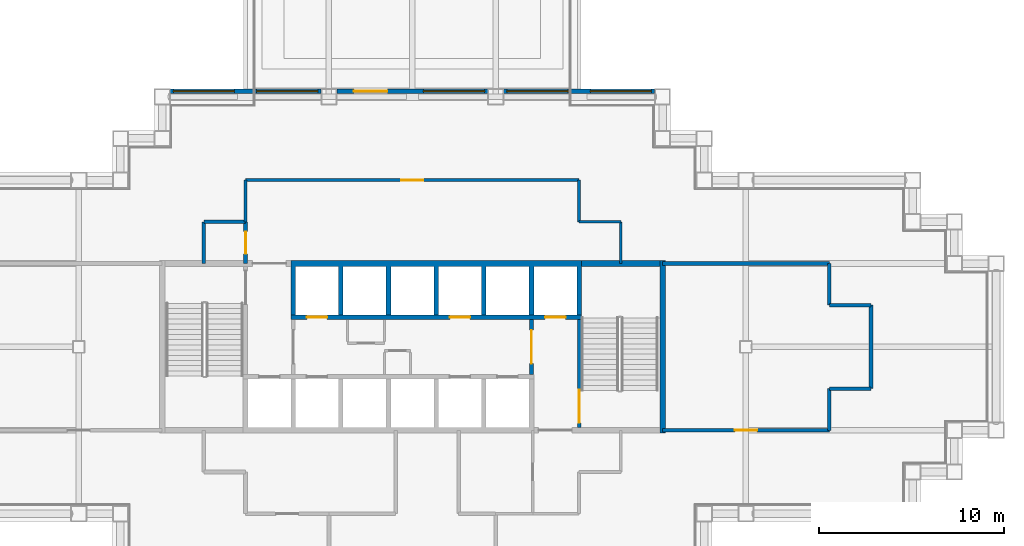
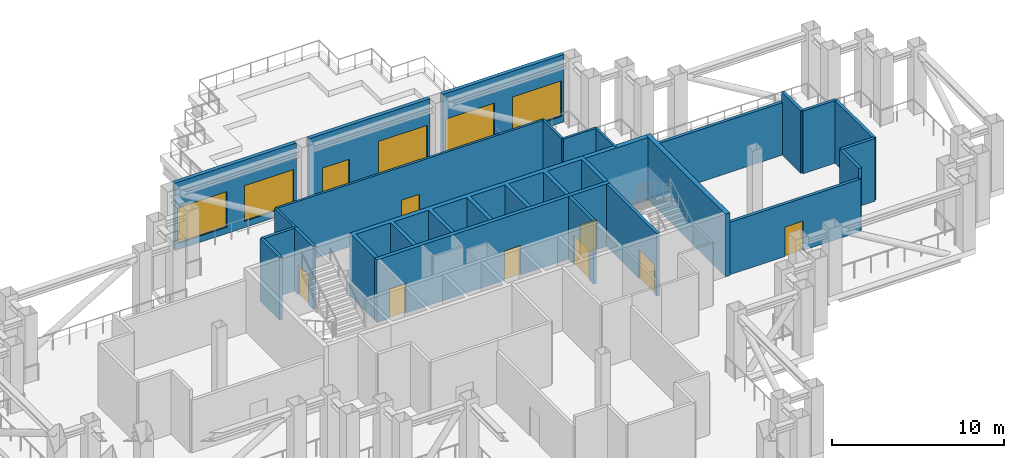
# One storey, part 4 of 10: 24 walls, 9 doors, 5 windows, 14 openings.
"""IFC4 building model written with IfcOpenShell, lengths in metres."""

import ifcopenshell
import ifcopenshell.guid

model = None  # the IFC model being written
_history = None  # IfcOwnerHistory: only IFC2X3 demands one
_inside = {}  # id of a spatial element -> (the spatial element, [elements in it])
_under = {}  # id of a project, library or spatial element -> (it, [spatial elements below it])
_declared = {}  # id of a project -> (the project, [libraries it declares])
_typed = {}  # id of a type object -> (the type object, [elements of that type])
_made_of = {}  # id of a material, layer set ... -> (it, [elements and type objects made of it])


def new_model(schema):
    """Start an empty IFC model of exactly this schema.

    Asked for "IFC4X3", IfcOpenShell would pick the latest addendum, in which some entities
    have other attributes; the version numbers below select the first issue.
    IFC2X3 requires an IfcOwnerHistory on every rooted entity: one is made here for all.
    """
    global model, _history
    if schema == "IFC4X3":
        model = ifcopenshell.file(schema_version=(4, 3, 0, 0))
    else:
        model = ifcopenshell.file(schema=schema)
    _inside.clear()
    _under.clear()
    _declared.clear()
    _typed.clear()
    _made_of.clear()
    _history = None
    if model.schema == "IFC2X3":
        org = make("IfcOrganization", Name="unknown")
        user = make(
            "IfcPersonAndOrganization",
            ThePerson=make("IfcPerson", FamilyName="unknown"),
            TheOrganization=org,
        )
        app = make(
            "IfcApplication",
            ApplicationDeveloper=org,
            Version="unknown",
            ApplicationFullName="unknown",
            ApplicationIdentifier="unknown",
        )
        _history = make(
            "IfcOwnerHistory",
            OwningUser=user,
            OwningApplication=app,
            ChangeAction="ADDED",
            CreationDate=0,
        )
    return model


def make(cls, **values):
    """One entity of the class cls with the attributes given. An attribute that is None is left unset."""
    return model.create_entity(
        cls, **{name: value for name, value in values.items() if value is not None}
    )


def rooted(cls, **values):
    """An entity with a GlobalId (a new one), such as an element, a storey or a relation."""
    return make(cls, GlobalId=ifcopenshell.guid.new(), OwnerHistory=_history, **values)


def si_unit(unit_type, name, prefix=None):
    """IfcSIUnit, for example si_unit("LENGTHUNIT", "METRE", prefix="MILLI")."""
    return make("IfcSIUnit", UnitType=unit_type, Prefix=prefix, Name=name)


def assignment(units):
    """IfcUnitAssignment: the units of a project."""
    return None if units is None else make("IfcUnitAssignment", Units=units)


def point(xyz):
    """IfcCartesianPoint."""
    return None if xyz is None else make("IfcCartesianPoint", Coordinates=xyz)


def direction(xyz):
    """IfcDirection."""
    return None if xyz is None else make("IfcDirection", DirectionRatios=xyz)


def frame(location, z_axis=None, x_axis=None):
    """IfcAxis2Placement3D, a coordinate frame: its origin and axes. An axis left out is left unset."""
    return make(
        "IfcAxis2Placement3D",
        Location=point(location),
        Axis=direction(z_axis),
        RefDirection=direction(x_axis),
    )


def frame_2d(location, x_axis=None):
    """IfcAxis2Placement2D, a coordinate frame in the plane: its origin and x axis."""
    return make(
        "IfcAxis2Placement2D", Location=point(location), RefDirection=direction(x_axis)
    )


def origin():
    """The frame at (0, 0, 0) with its axes left unset."""
    return frame((0.0, 0.0, 0.0))


def place(relative_to, where):
    """IfcLocalPlacement: puts the frame where relative to a parent placement (None: the world)."""
    return make(
        "IfcLocalPlacement", PlacementRelTo=relative_to, RelativePlacement=where
    )


def context(
    kind, dimensions, precision=None, world=None, true_north=None, identifier=None
):
    """IfcGeometricRepresentationContext, for example the 3D "Model" context."""
    return make(
        "IfcGeometricRepresentationContext",
        ContextIdentifier=identifier,
        ContextType=kind,
        CoordinateSpaceDimension=dimensions,
        Precision=precision,
        WorldCoordinateSystem=world,
        TrueNorth=true_north,
    )


def subcontext(parent, identifier, kind, view, scale=None):
    """IfcGeometricRepresentationSubContext, for example "Body" below "Model"."""
    return make(
        "IfcGeometricRepresentationSubContext",
        ContextIdentifier=identifier,
        ContextType=kind,
        ParentContext=parent,
        TargetScale=scale,
        TargetView=view,
    )


def project(units=None, contexts=None):
    """IfcProject with its units and contexts."""
    return rooted(
        "IfcProject",
        Name="project",
        RepresentationContexts=contexts,
        UnitsInContext=assignment(units),
    )


def spatial(cls, under=None, at=None, **own):
    """A site, building, storey or space (cls), placed at a placement, below another one or the project."""
    s = rooted(cls, ObjectPlacement=at, **own)
    if under is not None:
        _under.setdefault(under.id(), (under, []))[1].append(s)
    return s


def polyline(points):
    """IfcPolyline through the points."""
    return make("IfcPolyline", Points=[point(p) for p in points])


def profile(cls, at=None, kind="AREA", **sizes):
    """A parametric profile (cls). Its sizes go by their IFC names, for example OverallWidth=200.0."""
    return make(cls, ProfileType=kind, Position=at, **sizes)


def rectangle(**sizes):
    """IfcRectangleProfileDef."""
    return profile("IfcRectangleProfileDef", **sizes)


def outline(outer, holes=None, kind="AREA"):
    """IfcArbitraryClosedProfileDef: a profile drawn as a closed curve; with holes, ...WithVoids."""
    if holes is None:
        return make("IfcArbitraryClosedProfileDef", ProfileType=kind, OuterCurve=outer)
    return make(
        "IfcArbitraryProfileDefWithVoids",
        ProfileType=kind,
        OuterCurve=outer,
        InnerCurves=holes,
    )


def extrude(swept, where, along, depth):
    """IfcExtrudedAreaSolid: the profile swept, set in the frame where, extruded along a direction by depth."""
    return make(
        "IfcExtrudedAreaSolid",
        SweptArea=swept,
        Position=where,
        ExtrudedDirection=direction(along),
        Depth=depth,
    )


def shape(context_of_items, identifier, shape_type, items):
    """IfcShapeRepresentation: the items that make up one representation, for example the "Body"."""
    return make(
        "IfcShapeRepresentation",
        ContextOfItems=context_of_items,
        RepresentationIdentifier=identifier,
        RepresentationType=shape_type,
        Items=items,
    )


def material(Name=None, Category=None):
    """IfcMaterial."""
    return make("IfcMaterial", Name=Name, Category=Category)


def layer(
    of_material, thickness, ventilated=None, Name=None, Category=None, Priority=None
):
    """IfcMaterialLayer: one layer of a wall or slab, of a material (None: an air gap)."""
    return make(
        "IfcMaterialLayer",
        Material=of_material,
        LayerThickness=thickness,
        IsVentilated=ventilated,
        Name=Name,
        Category=Category,
        Priority=Priority,
    )


def layer_set(layers, Name=None):
    """IfcMaterialLayerSet."""
    return make("IfcMaterialLayerSet", MaterialLayers=layers, LayerSetName=Name)


def made_of(thing, what):
    """Note that an element or type object is made of a material, layer set ...; save() writes the relation."""
    if what is not None:
        _made_of.setdefault(what.id(), (what, []))[1].append(thing)
    return thing


def type_object(cls, material=None, **own):
    """A type object (cls), such as IfcWallType, which elements share."""
    return made_of(rooted(cls, **own), material)


def element(
    cls,
    number,
    at=None,
    inside=None,
    cuts=None,
    type_object=None,
    material=None,
    context=None,
    identifier="Body",
    shape_type=None,
    held_by="IfcProductDefinitionShape",
    body=None,
    shapes=None,
    **own,
):
    """One element of the class cls, such as IfcWall. Its Tag is "e" and its number.

    at: its placement. inside: the storey or other place that contains it. cuts: it is an
    opening in that element (IfcRelVoidsElement). A single representation is given by context,
    identifier, shape_type and body (its items); several are given by shapes. held_by: the class
    of the entity that holds the representations. save() writes the other relations.
    """
    e = rooted(cls, Tag="e%d" % number, ObjectPlacement=at, **own)
    if body is not None:
        shapes = [shape(context, identifier, shape_type, body)]
    if shapes is not None:
        e.Representation = make(held_by, Representations=shapes)
    if inside is not None:
        _inside.setdefault(inside.id(), (inside, []))[1].append(e)
    if cuts is not None:
        rooted(
            "IfcRelVoidsElement", RelatingBuildingElement=cuts, RelatedOpeningElement=e
        )
    if type_object is not None:
        _typed.setdefault(type_object.id(), (type_object, []))[1].append(e)
    return made_of(e, material)


def fill(opening, filler):
    """IfcRelFillsElement: the door or window that sits in an opening."""
    return rooted(
        "IfcRelFillsElement",
        RelatingOpeningElement=opening,
        RelatedBuildingElement=filler,
    )


def aggregate(whole, parts):
    """IfcRelAggregates: a whole, such as a stair, and the parts it consists of."""
    return rooted("IfcRelAggregates", RelatingObject=whole, RelatedObjects=parts)


def save(model, path):
    """Write the relations noted so far, then the file.

    IfcRelAggregates (storeys below a building ...), IfcRelContainedInSpatialStructure (elements
    in a storey), IfcRelDefinesByType, IfcRelAssociatesMaterial and IfcRelDeclares: one each for
    every whole, place, type object, material and project.
    """
    for whole, parts in _under.values():
        aggregate(whole, parts)
    for where, things in _inside.values():
        rooted(
            "IfcRelContainedInSpatialStructure",
            RelatedElements=things,
            RelatingStructure=where,
        )
    for kind, things in _typed.values():
        rooted("IfcRelDefinesByType", RelatedObjects=things, RelatingType=kind)
    for what, things in _made_of.values():
        rooted("IfcRelAssociatesMaterial", RelatedObjects=things, RelatingMaterial=what)
    for by, libraries in _declared.values():
        rooted("IfcRelDeclares", RelatingContext=by, RelatedDefinitions=libraries)
    model.write(path)


model = new_model("IFC4")

# Units and contexts
model_context = context("Model", 3, precision=1e-05, world=origin(), true_north=direction((0.0, 1.0)))
body_context = subcontext(model_context, "Body", "Model", "MODEL_VIEW")
ifc_project = project(units=[si_unit("LENGTHUNIT", "METRE"), si_unit("AREAUNIT", "SQUARE_METRE"), si_unit("VOLUMEUNIT", "CUBIC_METRE"), si_unit("PLANEANGLEUNIT", "RADIAN"), si_unit("MASSUNIT", "GRAM", prefix="KILO")], contexts=[model_context])

# Site, building, storey
site_placement = place(None, origin())
site = spatial("IfcSite", under=ifc_project, at=site_placement, CompositionType="ELEMENT")
building_placement = place(site_placement, origin())
building = spatial("IfcBuilding", under=site, at=building_placement, Name="Caravel Reach Hotel and Residences", CompositionType="ELEMENT")
storey_placement = place(building_placement, frame((0.0, 0.0, 140.39990234375)))
storey = spatial("IfcBuildingStorey", under=building, at=storey_placement, Name="L35", CompositionType="ELEMENT", Elevation=140.39990234375)

# Wall, opening, door
ifc_material_1 = material(Name="Autoclaved aerated block wall")
ifc_layer_1 = layer(ifc_material_1, 0.199951171875)
ifc_layer_set_1 = layer_set([ifc_layer_1], Name="Compartment wall 200 mm EI 120")
wall_type_1 = type_object("IfcWallType", Name="Compartment wall 200 mm EI 120", PredefinedType="PARTITIONING", material=ifc_layer_set_1)
wall_1_placement = place(storey_placement, frame((45.0, 22.5, 0.0), z_axis=(0.0, 0.0, 1.0), x_axis=(1.0, 0.0, 0.0)))
wall_1 = element("IfcWall", 1, at=wall_1_placement, inside=storey, type_object=wall_type_1, Name="L35 wall w017", PredefinedType="PARTITIONING", context=body_context, shape_type="SweptSolid", body=[
    extrude(rectangle(XDim=9.0, YDim=0.199951171875, at=frame_2d((4.5, 0.0))), origin(), (0.0, 0.0, 1.0), 3.72998046875),
])
opening_1_placement = place(wall_1_placement, frame((3.89990234375, 0.0, 0.0)))
opening_1 = element("IfcOpeningElement", 2, at=opening_1_placement, cuts=wall_1, Name="Opening D35-021", PredefinedType="OPENING", context=body_context, shape_type="SweptSolid", body=[
    extrude(rectangle(XDim=1.199951171875, YDim=2.10009765625, at=frame_2d((0.60009765625, 1.050048828125))), frame((0.0, 0.10986328125, 0.0), z_axis=(0.0, -1.0, 0.0), x_axis=(1.0, 0.0, 0.0)), (0.0, 0.0, 1.0), 0.219970703125),
])
ifc_material_2 = material(Name="Steel fire door leaf", Category="steel")
door_type_1 = type_object("IfcDoorType", Name="Plant room door 1200 x 2100 EI 60", OperationType="SINGLE_SWING_LEFT", PredefinedType="DOOR", material=ifc_material_2)
door_1_placement = place(opening_1_placement, origin())
door_1 = element("IfcDoor", 3, at=door_1_placement, inside=storey, type_object=door_type_1, Name="door D35-021", OperationType="SINGLE_SWING_LEFT", OverallHeight=2.10009765625, OverallWidth=1.199951171875, PredefinedType="DOOR", context=body_context, shape_type="SweptSolid", body=[
    extrude(rectangle(XDim=1.199951171875, YDim=2.10009765625, at=frame_2d((0.60009765625, 1.050048828125))), frame((0.0, 0.02490234375, 0.0), z_axis=(0.0, -1.0, 0.0), x_axis=(1.0, 0.0, 0.0)), (0.0, 0.0, 1.0), 0.050048828125),
])
fill(opening_1, door_1)

# Walls
for number, where, z_axis, x_axis, name in (
    (4, (54.0, 24.75, 0.0), (0.0, 0.0, 1.0), (1.0, 0.0, 0.0), "L35 wall w019"),
    (5, (54.0, 29.25, 0.0), (0.0, 0.0, 1.0), (1.0, 0.0, 0.0), "L35 wall w021"),
):
    element("IfcWall", number, at=place(storey_placement, frame(where, z_axis=z_axis, x_axis=x_axis)), inside=storey, type_object=wall_type_1, Name=name, PredefinedType="PARTITIONING", context=body_context, shape_type="SweptSolid", body=[
        extrude(rectangle(XDim=2.25, YDim=0.199951171875, at=frame_2d((1.125, 0.0))), origin(), (0.0, 0.0, 1.0), 4.4501953125),
    ])
wall_2_placement = place(storey_placement, frame((45.0, 31.5, 0.0), z_axis=(0.0, 0.0, 1.0), x_axis=(1.0, 0.0, 0.0)))
element("IfcWall", 6, at=wall_2_placement, inside=storey, type_object=wall_type_1, Name="L35 wall w023", PredefinedType="PARTITIONING", context=body_context, shape_type="SweptSolid", body=[
    extrude(rectangle(XDim=9.0, YDim=0.199951171875, at=frame_2d((4.5, 0.0))), origin(), (0.0, 0.0, 1.0), 3.72998046875),
])
for number, where, z_axis, x_axis, name in (
    (7, (20.25, 33.75, 0.0), (0.0, 0.0, 1.0), (1.0, 0.0, 0.0), "L35 wall w024"),
    (8, (20.25, 31.5, 0.0), (0.0, 0.0, 1.0), (0.0, 1.0, 0.0), "L35 wall w029"),
):
    element("IfcWall", number, at=place(storey_placement, frame(where, z_axis=z_axis, x_axis=x_axis)), inside=storey, type_object=wall_type_1, Name=name, PredefinedType="PARTITIONING", context=body_context, shape_type="SweptSolid", body=[
        extrude(rectangle(XDim=2.25, YDim=0.199951171875, at=frame_2d((1.125, 0.0))), origin(), (0.0, 0.0, 1.0), 4.4501953125),
    ])

# Wall, opening, door
wall_3_placement = place(storey_placement, frame((22.5, 31.5, 0.0), z_axis=(0.0, 0.0, 1.0), x_axis=(0.0, 1.0, 0.0)))
wall_3 = element("IfcWall", 9, at=wall_3_placement, inside=storey, type_object=wall_type_1, Name="L35 wall w031", PredefinedType="PARTITIONING", context=body_context, shape_type="SweptSolid", body=[
    extrude(rectangle(XDim=2.25, YDim=0.199951171875, at=frame_2d((1.125, 0.0))), origin(), (0.0, 0.0, 1.0), 4.4501953125),
])
opening_2_placement = place(wall_3_placement, frame((0.52490234375, 0.0, 0.0)))
opening_2 = element("IfcOpeningElement", 10, at=opening_2_placement, cuts=wall_3, Name="Opening D35-018", PredefinedType="OPENING", context=body_context, shape_type="SweptSolid", body=[
    extrude(rectangle(XDim=1.199951171875, YDim=2.10009765625, at=frame_2d((0.60009765625, 1.050048828125))), frame((0.0, 0.10986328125, 0.0), z_axis=(0.0, -1.0, 0.0), x_axis=(1.0, 0.0, 0.0)), (0.0, 0.0, 1.0), 0.219970703125),
])
door_2_placement = place(opening_2_placement, origin())
door_2 = element("IfcDoor", 11, at=door_2_placement, inside=storey, type_object=door_type_1, Name="door D35-018", OperationType="SINGLE_SWING_RIGHT", OverallHeight=2.10009765625, OverallWidth=1.199951171875, PredefinedType="DOOR", context=body_context, shape_type="SweptSolid", body=[
    extrude(rectangle(XDim=1.199951171875, YDim=2.10009765625, at=frame_2d((0.60009765625, 1.050048828125))), frame((0.0, 0.02490234375, 0.0), z_axis=(0.0, -1.0, 0.0), x_axis=(1.0, 0.0, 0.0)), (0.0, 0.0, 1.0), 0.050048828125),
])
fill(opening_2, door_2)

# Walls
for number, where, z_axis, x_axis, name in (
    (12, (54.0, 22.5, 0.0), (0.0, 0.0, 1.0), (0.0, 1.0, 0.0), "L35 wall w038"),
    (13, (54.0, 29.25, 0.0), (0.0, 0.0, 1.0), (0.0, 1.0, 0.0), "L35 wall w039"),
):
    element("IfcWall", number, at=place(storey_placement, frame(where, z_axis=z_axis, x_axis=x_axis)), inside=storey, type_object=wall_type_1, Name=name, PredefinedType="PARTITIONING", context=body_context, shape_type="SweptSolid", body=[
        extrude(rectangle(XDim=2.25, YDim=0.199951171875, at=frame_2d((1.125, 0.0))), origin(), (0.0, 0.0, 1.0), 4.4501953125),
    ])
wall_4_placement = place(storey_placement, frame((56.25, 24.75, 0.0), z_axis=(0.0, 0.0, 1.0), x_axis=(0.0, 1.0, 0.0)))
element("IfcWall", 14, at=wall_4_placement, inside=storey, type_object=wall_type_1, Name="L35 wall w040", PredefinedType="PARTITIONING", context=body_context, shape_type="SweptSolid", body=[
    extrude(rectangle(XDim=4.5, YDim=0.199951171875, at=frame_2d((2.25, 0.0))), origin(), (0.0, 0.0, 1.0), 4.4501953125),
])
ifc_material_3 = material(Name="Concrete C60", Category="concrete")
ifc_layer_2 = layer(ifc_material_3, 0.300048828125)
ifc_layer_set_2 = layer_set([ifc_layer_2], Name="Core wall 300 mm EI 120")
wall_type_2 = type_object("IfcWallType", Name="Core wall 300 mm EI 120", PredefinedType="SHEAR", material=ifc_layer_set_2)
wall_5_placement = place(storey_placement, frame((40.625, 31.5, 0.0), z_axis=(0.0, 0.0, 1.0), x_axis=(1.0, 0.0, 0.0)))
element("IfcWall", 15, at=wall_5_placement, inside=storey, type_object=wall_type_2, Name="L35 core wall N2", PredefinedType="SHEAR", context=body_context, shape_type="SweptSolid", body=[
    extrude(rectangle(XDim=4.22509765625, YDim=0.300048828125, at=frame_2d((2.112548828125, 0.0))), origin(), (0.0, 0.0, 1.0), 4.4501953125),
])
wall_6_placement = place(storey_placement, frame((45.0, 22.35009765625, 0.0), z_axis=(0.0, 0.0, 1.0), x_axis=(0.0, 1.0, 0.0)))
element("IfcWall", 16, at=wall_6_placement, inside=storey, type_object=wall_type_2, Name="L35 core wall E", PredefinedType="SHEAR", context=body_context, shape_type="SweptSolid", body=[
    extrude(rectangle(XDim=9.2998046875, YDim=0.300048828125, at=frame_2d((4.64990234375, 0.0))), origin(), (0.0, 0.0, 1.0), 4.4501953125),
])
ifc_material_4 = material(Name="Gypsum board on steel stud, fire-rated", Category="steel")
ifc_layer_3 = layer(ifc_material_4, 0.14990234375)
ifc_layer_set_3 = layer_set([ifc_layer_3], Name="Corridor wall 150 mm EI 60")
wall_type_3 = type_object("IfcWallType", Name="Corridor wall 150 mm EI 60", PredefinedType="PARTITIONING", material=ifc_layer_set_3)
wall_7_placement = place(storey_placement, frame((40.5, 33.75, 0.0), z_axis=(0.0, 0.0, 1.0), x_axis=(1.0, 0.0, 0.0)))
element("IfcWall", 17, at=wall_7_placement, inside=storey, type_object=wall_type_3, Name="L35 wall w004", PredefinedType="PARTITIONING", context=body_context, shape_type="SweptSolid", body=[
    extrude(rectangle(XDim=2.25, YDim=0.14990234375, at=frame_2d((1.125, 0.0))), origin(), (0.0, 0.0, 1.0), 4.4501953125),
])

# Wall, opening, door
wall_8_placement = place(storey_placement, frame((22.5, 36.0, 0.0), z_axis=(0.0, 0.0, 1.0), x_axis=(1.0, 0.0, 0.0)))
wall_8 = element("IfcWall", 18, at=wall_8_placement, inside=storey, type_object=wall_type_3, Name="L35 wall w005", PredefinedType="PARTITIONING", context=body_context, shape_type="SweptSolid", body=[
    extrude(rectangle(XDim=18.0, YDim=0.14990234375, at=frame_2d((9.0, 0.0))), origin(), (0.0, 0.0, 1.0), 4.4501953125),
])
opening_3_placement = place(wall_8_placement, frame((8.39990234375, 0.0, 0.0)))
opening_3 = element("IfcOpeningElement", 19, at=opening_3_placement, cuts=wall_8, Name="Opening D35-022", PredefinedType="OPENING", context=body_context, shape_type="SweptSolid", body=[
    extrude(rectangle(XDim=1.199951171875, YDim=2.10009765625, at=frame_2d((0.60009765625, 1.050048828125))), frame((0.0, 0.0849609375, 0.0), z_axis=(0.0, -1.0, 0.0), x_axis=(1.0, 0.0, 0.0)), (0.0, 0.0, 1.0), 0.169921875),
])
ifc_material_5 = material(Name="Steel fire door leaf", Category="steel")
door_type_2 = type_object("IfcDoorType", Name="Refuge hall door 1200 x 2100 EI 60", OperationType="SINGLE_SWING_LEFT", PredefinedType="DOOR", material=ifc_material_5)
door_3_placement = place(opening_3_placement, origin())
door_3 = element("IfcDoor", 20, at=door_3_placement, inside=storey, type_object=door_type_2, Name="door D35-022", OperationType="SINGLE_SWING_RIGHT", OverallHeight=2.10009765625, OverallWidth=1.199951171875, PredefinedType="DOOR", context=body_context, shape_type="SweptSolid", body=[
    extrude(rectangle(XDim=1.199951171875, YDim=2.10009765625, at=frame_2d((0.60009765625, 1.050048828125))), frame((0.0, 0.02490234375, 0.0), z_axis=(0.0, -1.0, 0.0), x_axis=(1.0, 0.0, 0.0)), (0.0, 0.0, 1.0), 0.050048828125),
])
fill(opening_3, door_3)

# Walls
for number, where, z_axis, x_axis, name in (
    (21, (22.5, 33.75, 0.0), (0.0, 0.0, 1.0), (0.0, 1.0, 0.0), "L35 wall w006"),
    (22, (40.5, 33.75, 0.0), (0.0, 0.0, 1.0), (0.0, 1.0, 0.0), "L35 wall w008"),
    (23, (42.75, 31.5, 0.0), (0.0, 0.0, 1.0), (0.0, 1.0, 0.0), "L35 wall w010"),
):
    element("IfcWall", number, at=place(storey_placement, frame(where, z_axis=z_axis, x_axis=x_axis)), inside=storey, type_object=wall_type_3, Name=name, PredefinedType="PARTITIONING", context=body_context, shape_type="SweptSolid", body=[
        extrude(rectangle(XDim=2.25, YDim=0.14990234375, at=frame_2d((1.125, 0.0))), origin(), (0.0, 0.0, 1.0), 4.4501953125),
    ])

# Wall, openings, windows
ifc_material_6 = material(Name="Insulated rainscreen wall, aluminium cladding", Category="aluminium")
ifc_layer_4 = layer(ifc_material_6, 0.25)
ifc_layer_set_4 = layer_set([ifc_layer_4], Name="EW1 Tower rainscreen wall")
wall_type_4 = type_object("IfcWallType", Name="EW1 Tower rainscreen wall", PredefinedType="SOLIDWALL", material=ifc_layer_set_4)
wall_9_placement = place(storey_placement, frame((44.574951171875, 40.800048828125, 0.0), z_axis=(0.0, 0.0, 1.0), x_axis=(-1.0, 0.0, 0.0)))
wall_9 = element("IfcWall", 24, at=wall_9_placement, inside=storey, type_object=wall_type_4, Name="External wall L35 N29.1", PredefinedType="SOLIDWALL", context=body_context, shape_type="SweptSolid", body=[
    extrude(rectangle(XDim=8.14990234375, YDim=0.25, at=frame_2d((4.074951171875, 0.0))), origin(), (0.0, 0.0, 1.0), 4.800048828125),
])
opening_4_placement = place(wall_9_placement, frame((0.175048828125, 0.0, 0.449951171875)))
opening_4 = element("IfcOpeningElement", 25, at=opening_4_placement, cuts=wall_9, Name="Opening WN29", PredefinedType="OPENING", context=body_context, shape_type="SweptSolid", body=[
    extrude(rectangle(XDim=3.300048828125, YDim=2.530029296875, at=frame_2d((1.64990234375, 1.26513671875))), frame((0.0, 0.135009765625, 0.0), z_axis=(0.0, -1.0, 0.0), x_axis=(1.0, 0.0, 0.0)), (0.0, 0.0, 1.0), 0.27001953125),
])
opening_5_placement = place(wall_9_placement, frame((4.675048828125, 0.0, 0.449951171875)))
opening_5 = element("IfcOpeningElement", 26, at=opening_5_placement, cuts=wall_9, Name="Opening WN29", PredefinedType="OPENING", context=body_context, shape_type="SweptSolid", body=[
    extrude(rectangle(XDim=3.300048828125, YDim=2.530029296875, at=frame_2d((1.64990234375, 1.26513671875))), frame((0.0, 0.135009765625, 0.0), z_axis=(0.0, -1.0, 0.0), x_axis=(1.0, 0.0, 0.0)), (0.0, 0.0, 1.0), 0.27001953125),
])
ifc_material_7 = material(Name="Dark low-e glazing in black aluminium frame", Category="aluminium")
window_type = type_object("IfcWindowType", Name="Refuge lounge window 3300 x 2530", PartitioningType="SINGLE_PANEL", PredefinedType="WINDOW", material=ifc_material_7)
window_1_placement = place(opening_4_placement, origin())
window_1 = element("IfcWindow", 27, at=window_1_placement, inside=storey, type_object=window_type, Name="Window L35 N29.1.1", OverallHeight=2.530029296875, OverallWidth=3.300048828125, PartitioningType="SINGLE_PANEL", PredefinedType="WINDOW", context=body_context, shape_type="SweptSolid", body=[
    extrude(rectangle(XDim=3.300048828125, YDim=2.530029296875, at=frame_2d((1.64990234375, 1.26513671875))), frame((0.0, 0.030029296875, 0.0), z_axis=(0.0, -1.0, 0.0), x_axis=(1.0, 0.0, 0.0)), (0.0, 0.0, 1.0), 0.06005859375),
])
fill(opening_4, window_1)
window_2_placement = place(opening_5_placement, origin())
window_2 = element("IfcWindow", 28, at=window_2_placement, inside=storey, type_object=window_type, Name="Window L35 N29.1.2", OverallHeight=2.530029296875, OverallWidth=3.300048828125, PartitioningType="SINGLE_PANEL", PredefinedType="WINDOW", context=body_context, shape_type="SweptSolid", body=[
    extrude(rectangle(XDim=3.300048828125, YDim=2.530029296875, at=frame_2d((1.64990234375, 1.26513671875))), frame((0.0, 0.030029296875, 0.0), z_axis=(0.0, -1.0, 0.0), x_axis=(1.0, 0.0, 0.0)), (0.0, 0.0, 1.0), 0.06005859375),
])
fill(opening_5, window_2)

# Wall, openings, window, door
wall_10_placement = place(storey_placement, frame((35.574951171875, 40.800048828125, 0.0), z_axis=(0.0, 0.0, 1.0), x_axis=(-1.0, 0.0, 0.0)))
wall_10 = element("IfcWall", 29, at=wall_10_placement, inside=storey, type_object=wall_type_4, Name="External wall L35 N29.2", PredefinedType="SOLIDWALL", context=body_context, shape_type="SweptSolid", body=[
    extrude(rectangle(XDim=8.14990234375, YDim=0.25, at=frame_2d((4.074951171875, 0.0))), origin(), (0.0, 0.0, 1.0), 4.800048828125),
])
opening_6_placement = place(wall_10_placement, frame((0.175048828125, 0.0, 0.449951171875)))
opening_6 = element("IfcOpeningElement", 30, at=opening_6_placement, cuts=wall_10, Name="Opening WN29", PredefinedType="OPENING", context=body_context, shape_type="SweptSolid", body=[
    extrude(rectangle(XDim=3.300048828125, YDim=2.530029296875, at=frame_2d((1.64990234375, 1.26513671875))), frame((0.0, 0.135009765625, 0.0), z_axis=(0.0, -1.0, 0.0), x_axis=(1.0, 0.0, 0.0)), (0.0, 0.0, 1.0), 0.27001953125),
])
opening_7_placement = place(wall_10_placement, frame((5.425048828125, 0.0, 0.0)))
opening_7 = element("IfcOpeningElement", 31, at=opening_7_placement, cuts=wall_10, Name="Opening D35-811", PredefinedType="OPENING", context=body_context, shape_type="SweptSolid", body=[
    extrude(rectangle(XDim=1.800048828125, YDim=2.39990234375, at=frame_2d((0.89990234375, 1.199951171875))), frame((0.0, 0.135009765625, 0.0), z_axis=(0.0, -1.0, 0.0), x_axis=(1.0, 0.0, 0.0)), (0.0, 0.0, 1.0), 0.27001953125),
])
window_3_placement = place(opening_6_placement, origin())
window_3 = element("IfcWindow", 32, at=window_3_placement, inside=storey, type_object=window_type, Name="Window L35 N29.2.1", OverallHeight=2.530029296875, OverallWidth=3.300048828125, PartitioningType="SINGLE_PANEL", PredefinedType="WINDOW", context=body_context, shape_type="SweptSolid", body=[
    extrude(rectangle(XDim=3.300048828125, YDim=2.530029296875, at=frame_2d((1.64990234375, 1.26513671875))), frame((0.0, 0.030029296875, 0.0), z_axis=(0.0, -1.0, 0.0), x_axis=(1.0, 0.0, 0.0)), (0.0, 0.0, 1.0), 0.06005859375),
])
fill(opening_6, window_3)
ifc_material_8 = material(Name="Dark glazed door in black aluminium frame", Category="aluminium")
door_type_3 = type_object("IfcDoorType", Name="Terrace door 1800 x 2400", OperationType="DOUBLE_DOOR_SINGLE_SWING", PredefinedType="DOOR", material=ifc_material_8)
door_4_placement = place(opening_7_placement, origin())
door_4 = element("IfcDoor", 33, at=door_4_placement, inside=storey, type_object=door_type_3, Name="Door D35-811", OperationType="DOUBLE_DOOR_SINGLE_SWING", OverallHeight=2.39990234375, OverallWidth=1.800048828125, PredefinedType="DOOR", context=body_context, shape_type="SweptSolid", body=[
    extrude(rectangle(XDim=1.800048828125, YDim=2.39990234375, at=frame_2d((0.89990234375, 1.199951171875))), frame((0.0, 0.02490234375, 0.0), z_axis=(0.0, -1.0, 0.0), x_axis=(1.0, 0.0, 0.0)), (0.0, 0.0, 1.0), 0.050048828125),
])
fill(opening_7, door_4)

# Wall, openings, windows
wall_11_placement = place(storey_placement, frame((26.574951171875, 40.800048828125, 0.0), z_axis=(0.0, 0.0, 1.0), x_axis=(-1.0, 0.0, 0.0)))
wall_11 = element("IfcWall", 34, at=wall_11_placement, inside=storey, type_object=wall_type_4, Name="External wall L35 N29.3", PredefinedType="SOLIDWALL", context=body_context, shape_type="SweptSolid", body=[
    extrude(rectangle(XDim=8.14990234375, YDim=0.25, at=frame_2d((4.074951171875, 0.0))), origin(), (0.0, 0.0, 1.0), 4.800048828125),
])
opening_8_placement = place(wall_11_placement, frame((0.175048828125, 0.0, 0.449951171875)))
opening_8 = element("IfcOpeningElement", 35, at=opening_8_placement, cuts=wall_11, Name="Opening WN29", PredefinedType="OPENING", context=body_context, shape_type="SweptSolid", body=[
    extrude(rectangle(XDim=3.300048828125, YDim=2.530029296875, at=frame_2d((1.64990234375, 1.26513671875))), frame((0.0, 0.135009765625, 0.0), z_axis=(0.0, -1.0, 0.0), x_axis=(1.0, 0.0, 0.0)), (0.0, 0.0, 1.0), 0.27001953125),
])
opening_9_placement = place(wall_11_placement, frame((4.675048828125, 0.0, 0.449951171875)))
opening_9 = element("IfcOpeningElement", 36, at=opening_9_placement, cuts=wall_11, Name="Opening WN29", PredefinedType="OPENING", context=body_context, shape_type="SweptSolid", body=[
    extrude(rectangle(XDim=3.300048828125, YDim=2.530029296875, at=frame_2d((1.64990234375, 1.26513671875))), frame((0.0, 0.135009765625, 0.0), z_axis=(0.0, -1.0, 0.0), x_axis=(1.0, 0.0, 0.0)), (0.0, 0.0, 1.0), 0.27001953125),
])
window_4_placement = place(opening_8_placement, origin())
window_4 = element("IfcWindow", 37, at=window_4_placement, inside=storey, type_object=window_type, Name="Window L35 N29.3.1", OverallHeight=2.530029296875, OverallWidth=3.300048828125, PartitioningType="SINGLE_PANEL", PredefinedType="WINDOW", context=body_context, shape_type="SweptSolid", body=[
    extrude(rectangle(XDim=3.300048828125, YDim=2.530029296875, at=frame_2d((1.64990234375, 1.26513671875))), frame((0.0, 0.030029296875, 0.0), z_axis=(0.0, -1.0, 0.0), x_axis=(1.0, 0.0, 0.0)), (0.0, 0.0, 1.0), 0.06005859375),
])
fill(opening_8, window_4)
window_5_placement = place(opening_9_placement, origin())
window_5 = element("IfcWindow", 38, at=window_5_placement, inside=storey, type_object=window_type, Name="Window L35 N29.3.2", OverallHeight=2.530029296875, OverallWidth=3.300048828125, PartitioningType="SINGLE_PANEL", PredefinedType="WINDOW", context=body_context, shape_type="SweptSolid", body=[
    extrude(rectangle(XDim=3.300048828125, YDim=2.530029296875, at=frame_2d((1.64990234375, 1.26513671875))), frame((0.0, 0.030029296875, 0.0), z_axis=(0.0, -1.0, 0.0), x_axis=(1.0, 0.0, 0.0)), (0.0, 0.0, 1.0), 0.06005859375),
])
fill(opening_9, window_5)

# Wall, opening, door
ifc_material_9 = material(Name="Autoclaved aerated block wall")
ifc_layer_5 = layer(ifc_material_9, 0.199951171875)
ifc_layer_set_5 = layer_set([ifc_layer_5], Name="Fire lobby wall 200 mm EI 120")
wall_type_5 = type_object("IfcWallType", Name="Fire lobby wall 200 mm EI 120", PredefinedType="PARTITIONING", material=ifc_layer_set_5)
wall_12_placement = place(storey_placement, frame((37.928466796875, 25.52490234375, 0.0), z_axis=(0.0, 0.0, 1.0), x_axis=(0.0, 1.0, 0.0)))
wall_12 = element("IfcWall", 39, at=wall_12_placement, inside=storey, type_object=wall_type_5, Name="L35 lobby E wall", PredefinedType="PARTITIONING", context=body_context, shape_type="SweptSolid", body=[
    extrude(rectangle(XDim=2.9501953125, YDim=0.199951171875, at=frame_2d((1.47509765625, 0.0))), origin(), (0.0, 0.0, 1.0), 4.4501953125),
])
opening_10_placement = place(wall_12_placement, frame((0.574951171875, 0.0, 0.0)))
opening_10 = element("IfcOpeningElement", 40, at=opening_10_placement, cuts=wall_12, Name="Opening D35-013", PredefinedType="OPENING", context=body_context, shape_type="SweptSolid", body=[
    extrude(rectangle(XDim=1.800048828125, YDim=2.10009765625, at=frame_2d((0.89990234375, 1.050048828125))), frame((0.0, 0.10986328125, 0.0), z_axis=(0.0, -1.0, 0.0), x_axis=(1.0, 0.0, 0.0)), (0.0, 0.0, 1.0), 0.219970703125),
])
ifc_material_10 = material(Name="Steel fire door leaf", Category="steel")
door_type_4 = type_object("IfcDoorType", Name="Fire lobby door pair 1800 x 2100 EI 90", OperationType="DOUBLE_DOOR_SINGLE_SWING", PredefinedType="DOOR", material=ifc_material_10)
door_5_placement = place(opening_10_placement, origin())
door_5 = element("IfcDoor", 41, at=door_5_placement, inside=storey, type_object=door_type_4, Name="lobby E door pair", OperationType="DOUBLE_DOOR_SINGLE_SWING", OverallHeight=2.10009765625, OverallWidth=1.800048828125, PredefinedType="DOOR", context=body_context, shape_type="SweptSolid", body=[
    extrude(rectangle(XDim=1.800048828125, YDim=2.10009765625, at=frame_2d((0.89990234375, 1.050048828125))), frame((0.0, 0.02490234375, 0.0), z_axis=(0.0, -1.0, 0.0), x_axis=(1.0, 0.0, 0.0)), (0.0, 0.0, 1.0), 0.050048828125),
])
fill(opening_10, door_5)

# Wall
ifc_material_11 = material(Name="Concrete C60", Category="concrete")
ifc_layer_6 = layer(ifc_material_11, 0.25)
ifc_layer_set_6 = layer_set([ifc_layer_6], Name="Shaft wall 250 mm EI 120")
wall_type_6 = type_object("IfcWallType", Name="Shaft wall 250 mm EI 120", PredefinedType="SHEAR", material=ifc_layer_set_6)
wall_13_placement = place(storey_placement, origin())
element("IfcWall", 42, at=wall_13_placement, inside=storey, type_object=wall_type_6, Name="L35 lift shaft wall N1", PredefinedType="SHEAR", context=body_context, shape_type="SweptSolid", body=[
    extrude(outline(polyline([(24.946533203125, 28.72509765625), (25.196533203125, 28.72509765625), (25.196533203125, 31.35009765625), (27.517822265625, 31.35009765625), (27.517822265625, 28.72509765625), (27.767822265625, 28.72509765625), (27.767822265625, 31.35009765625), (30.08935546875, 31.35009765625), (30.08935546875, 28.72509765625), (30.33935546875, 28.72509765625), (30.33935546875, 31.35009765625), (32.66064453125, 31.35009765625), (32.66064453125, 28.72509765625), (32.91064453125, 28.72509765625), (32.91064453125, 31.35009765625), (35.232177734375, 31.35009765625), (35.232177734375, 28.72509765625), (35.482177734375, 28.72509765625), (35.482177734375, 31.35009765625), (37.803466796875, 31.35009765625), (37.803466796875, 28.72509765625), (38.053466796875, 28.72509765625), (38.053466796875, 31.35009765625), (40.375, 31.35009765625), (40.375, 28.72509765625), (40.625, 28.72509765625), (40.625, 31.64990234375), (24.946533203125, 31.64990234375), (24.946533203125, 28.72509765625)])), origin(), (0.0, 0.0, 1.0), 4.4501953125),
])

# Wall, openings, doors
wall_14_placement = place(storey_placement, frame((24.946533203125, 28.60009765625, 0.0), z_axis=(0.0, 0.0, 1.0), x_axis=(1.0, 0.0, 0.0)))
wall_14 = element("IfcWall", 43, at=wall_14_placement, inside=storey, type_object=wall_type_6, Name="L35 lobby wall N1", PredefinedType="SHEAR", context=body_context, shape_type="SweptSolid", body=[
    extrude(rectangle(XDim=15.678466796875, YDim=0.25, at=frame_2d((7.83935546875, 0.0))), origin(), (0.0, 0.0, 1.0), 4.4501953125),
])
opening_11_placement = place(wall_14_placement, frame((0.860595703125, 0.0, 0.0)))
opening_11 = element("IfcOpeningElement", 44, at=opening_11_placement, cuts=wall_14, Name="Opening D35-004", PredefinedType="OPENING", context=body_context, shape_type="SweptSolid", body=[
    extrude(rectangle(XDim=1.10009765625, YDim=2.10009765625, at=frame_2d((0.550048828125, 1.050048828125))), frame((0.0, 0.135009765625, 0.0), z_axis=(0.0, -1.0, 0.0), x_axis=(1.0, 0.0, 0.0)), (0.0, 0.0, 1.0), 0.27001953125),
])
opening_12_placement = place(wall_14_placement, frame((8.574951171875, 0.0, 0.0)))
opening_12 = element("IfcOpeningElement", 45, at=opening_12_placement, cuts=wall_14, Name="Opening D35-005", PredefinedType="OPENING", context=body_context, shape_type="SweptSolid", body=[
    extrude(rectangle(XDim=1.10009765625, YDim=2.10009765625, at=frame_2d((0.550048828125, 1.050048828125))), frame((0.0, 0.135009765625, 0.0), z_axis=(0.0, -1.0, 0.0), x_axis=(1.0, 0.0, 0.0)), (0.0, 0.0, 1.0), 0.27001953125),
])
opening_13_placement = place(wall_14_placement, frame((13.718017578125, 0.0, 0.0)))
opening_13 = element("IfcOpeningElement", 46, at=opening_13_placement, cuts=wall_14, Name="Opening D35-007", PredefinedType="OPENING", context=body_context, shape_type="SweptSolid", body=[
    extrude(rectangle(XDim=1.10009765625, YDim=2.10009765625, at=frame_2d((0.550048828125, 1.050048828125))), frame((0.0, 0.135009765625, 0.0), z_axis=(0.0, -1.0, 0.0), x_axis=(1.0, 0.0, 0.0)), (0.0, 0.0, 1.0), 0.27001953125),
])
ifc_material_12 = material(Name="Stainless steel landing door", Category="steel")
door_type_5 = type_object("IfcDoorType", Name="Landing door LD 1100 x 2100 sliding", OperationType="DOUBLE_DOOR_SLIDING", PredefinedType="DOOR", material=ifc_material_12)
door_6_placement = place(opening_11_placement, origin())
door_6 = element("IfcDoor", 47, at=door_6_placement, inside=storey, type_object=door_type_5, Name="LP4 landing door", OperationType="DOUBLE_DOOR_SLIDING", OverallHeight=2.10009765625, OverallWidth=1.10009765625, PredefinedType="DOOR", context=body_context, shape_type="SweptSolid", body=[
    extrude(rectangle(XDim=1.10009765625, YDim=2.10009765625, at=frame_2d((0.550048828125, 1.050048828125))), frame((0.0, 0.02490234375, 0.0), z_axis=(0.0, -1.0, 0.0), x_axis=(1.0, 0.0, 0.0)), (0.0, 0.0, 1.0), 0.050048828125),
])
fill(opening_11, door_6)
door_7_placement = place(opening_12_placement, origin())
door_7 = element("IfcDoor", 48, at=door_7_placement, inside=storey, type_object=door_type_5, Name="LP5 landing door", OperationType="DOUBLE_DOOR_SLIDING", OverallHeight=2.10009765625, OverallWidth=1.10009765625, PredefinedType="DOOR", context=body_context, shape_type="SweptSolid", body=[
    extrude(rectangle(XDim=1.10009765625, YDim=2.10009765625, at=frame_2d((0.550048828125, 1.050048828125))), frame((0.0, 0.02490234375, 0.0), z_axis=(0.0, -1.0, 0.0), x_axis=(1.0, 0.0, 0.0)), (0.0, 0.0, 1.0), 0.050048828125),
])
fill(opening_12, door_7)
door_8_placement = place(opening_13_placement, origin())
door_8 = element("IfcDoor", 49, at=door_8_placement, inside=storey, type_object=door_type_5, Name="FL2 landing door", OperationType="DOUBLE_DOOR_SLIDING", OverallHeight=2.10009765625, OverallWidth=1.10009765625, PredefinedType="DOOR", context=body_context, shape_type="SweptSolid", body=[
    extrude(rectangle(XDim=1.10009765625, YDim=2.10009765625, at=frame_2d((0.550048828125, 1.050048828125))), frame((0.0, 0.02490234375, 0.0), z_axis=(0.0, -1.0, 0.0), x_axis=(1.0, 0.0, 0.0)), (0.0, 0.0, 1.0), 0.050048828125),
])
fill(opening_13, door_8)

# Wall, opening, door
ifc_material_13 = material(Name="Concrete C60", Category="concrete")
ifc_layer_7 = layer(ifc_material_13, 0.199951171875)
ifc_layer_set_7 = layer_set([ifc_layer_7], Name="Stair enclosure wall 200 mm EI 120")
wall_type_7 = type_object("IfcWallType", Name="Stair enclosure wall 200 mm EI 120", PredefinedType="SHEAR", material=ifc_layer_set_7)
wall_15_placement = place(storey_placement, frame((40.5, 22.64990234375, 0.0), z_axis=(0.0, 0.0, 1.0), x_axis=(0.0, 1.0, 0.0)))
wall_15 = element("IfcWall", 50, at=wall_15_placement, inside=storey, type_object=wall_type_7, Name="L35 stair B wall", PredefinedType="SHEAR", context=body_context, shape_type="SweptSolid", body=[
    extrude(rectangle(XDim=5.8251953125, YDim=0.199951171875, at=frame_2d((2.91259765625, 0.0))), origin(), (0.0, 0.0, 1.0), 4.4501953125),
])
opening_14_placement = place(wall_15_placement, frame((0.25, 0.0, 0.0)))
opening_14 = element("IfcOpeningElement", 51, at=opening_14_placement, cuts=wall_15, Name="Opening D35-011", PredefinedType="OPENING", context=body_context, shape_type="SweptSolid", body=[
    extrude(rectangle(XDim=1.800048828125, YDim=2.10009765625, at=frame_2d((0.89990234375, 1.050048828125))), frame((0.0, 0.10986328125, 0.0), z_axis=(0.0, -1.0, 0.0), x_axis=(1.0, 0.0, 0.0)), (0.0, 0.0, 1.0), 0.219970703125),
])
ifc_material_14 = material(Name="Steel fire door leaf", Category="steel")
door_type_6 = type_object("IfcDoorType", Name="Stair door pair 1800 x 2100 EI 90", OperationType="DOUBLE_DOOR_SINGLE_SWING", PredefinedType="DOOR", material=ifc_material_14)
door_9_placement = place(opening_14_placement, origin())
door_9 = element("IfcDoor", 52, at=door_9_placement, inside=storey, type_object=door_type_6, Name="stair B door pair", OperationType="DOUBLE_DOOR_SINGLE_SWING", OverallHeight=2.10009765625, OverallWidth=1.800048828125, PredefinedType="DOOR", context=body_context, shape_type="SweptSolid", body=[
    extrude(rectangle(XDim=1.800048828125, YDim=2.10009765625, at=frame_2d((0.89990234375, 1.050048828125))), frame((0.0, 0.02490234375, 0.0), z_axis=(0.0, -1.0, 0.0), x_axis=(1.0, 0.0, 0.0)), (0.0, 0.0, 1.0), 0.050048828125),
])
fill(opening_14, door_9)

save(model, "model.ifc")
